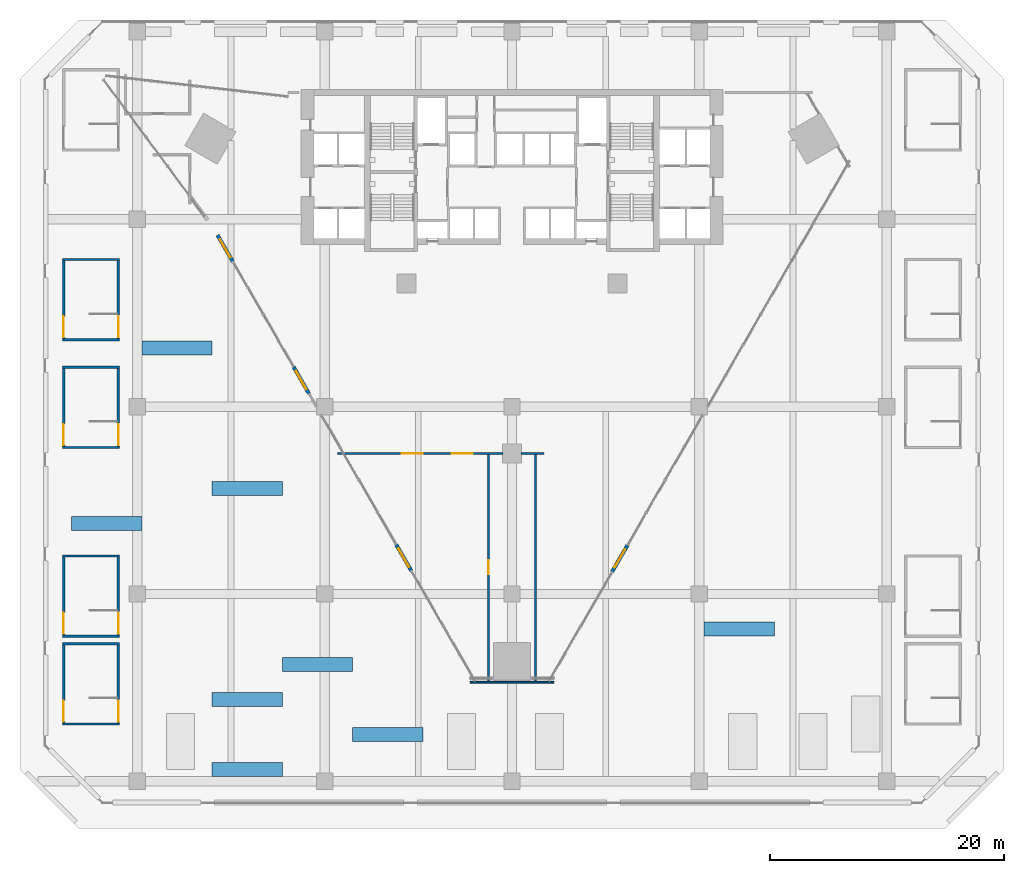
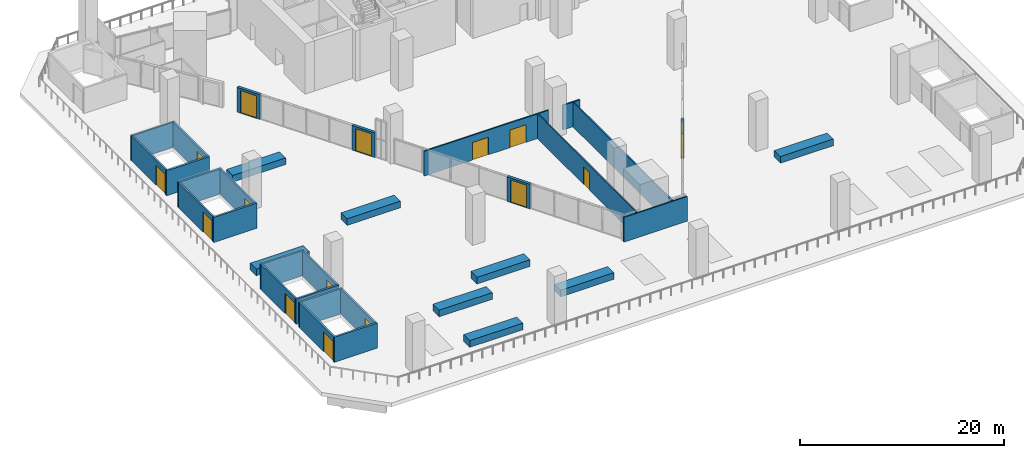
# One storey, part 18 of 25: 33 walls, 15 doors, 15 openings.
"""IFC4 building model written with IfcOpenShell, lengths in metres."""

from ifc_helpers import new_model, si_unit, direction, frame, frame_2d, origin, place, context, subcontext, project, spatial, polyline, rectangle, outline, extrude, material, layer, layer_set, type_object, element, fill, save


model = new_model("IFC4")

# Units and contexts
model_context = context("Model", 3, precision=1e-05, world=origin(), true_north=direction((0.0, 1.0)))
body_context = subcontext(model_context, "Body", "Model", "MODEL_VIEW")
ifc_project = project(units=[si_unit("LENGTHUNIT", "METRE"), si_unit("AREAUNIT", "SQUARE_METRE"), si_unit("VOLUMEUNIT", "CUBIC_METRE"), si_unit("PLANEANGLEUNIT", "RADIAN"), si_unit("MASSUNIT", "GRAM", prefix="KILO")], contexts=[model_context])

# Site, building, storey
site_placement = place(None, origin())
site = spatial("IfcSite", under=ifc_project, at=site_placement, CompositionType="ELEMENT")
building_placement = place(site_placement, origin())
building = spatial("IfcBuilding", under=site, at=building_placement, Name="Calabash Gate Tower", CompositionType="ELEMENT")
storey_placement = place(building_placement, frame((0.0, 0.0, 40.0)))
storey = spatial("IfcBuildingStorey", under=building, at=storey_placement, Name="L05", CompositionType="ELEMENT", Elevation=40.0)

# Wall
ifc_material_1 = material(Name="Gypsum board on steel studs, mineral wool", Category="steel")
ifc_layer_1 = layer(ifc_material_1, 0.14990234375)
ifc_layer_set_1 = layer_set([ifc_layer_1], Name="Partition 150 gypsum board")
wall_type_1 = type_object("IfcWallType", Name="Partition 150 gypsum board", PredefinedType="PARTITIONING", material=ifc_layer_set_1)
wall_1_placement = place(storey_placement, frame((-3.5810546875, -31.532958984375, 0.0), z_axis=(0.0, 0.0, 1.0), x_axis=(1.0, 0.0, 0.0)))
element("IfcWall", 1, at=wall_1_placement, inside=storey, type_object=wall_type_1, Name="Partition", PredefinedType="PARTITIONING", context=body_context, shape_type="SweptSolid", body=[
    extrude(rectangle(XDim=7.162109375, YDim=0.14990234375, at=frame_2d((3.5810546875, 0.0))), origin(), (0.0, 0.0, 1.0), 2.949951171875),
])

# Wall, opening, door
wall_2_placement = place(storey_placement, frame((-2.0, -31.4580078125, 0.0), z_axis=(0.0, 0.0, 1.0), x_axis=(0.0, 1.0, 0.0)))
wall_2 = element("IfcWall", 2, at=wall_2_placement, inside=storey, type_object=wall_type_1, Name="Partition", PredefinedType="PARTITIONING", context=body_context, shape_type="SweptSolid", body=[
    extrude(rectangle(XDim=19.383056640625, YDim=0.14990234375, at=frame_2d((9.69140625, 0.0))), origin(), (0.0, 0.0, 1.0), 2.949951171875),
])
opening_1_placement = place(wall_2_placement, frame((9.157958984375, 0.0, 0.0)))
opening_1 = element("IfcOpeningElement", 3, at=opening_1_placement, cuts=wall_2, Name="Opening L05-047", PredefinedType="OPENING", context=body_context, shape_type="SweptSolid", body=[
    extrude(rectangle(XDim=1.199951171875, YDim=2.10009765625, at=frame_2d((0.60009765625, 1.050048828125))), frame((0.0, 0.0849609375, 0.0), z_axis=(0.0, -1.0, 0.0), x_axis=(1.0, 0.0, 0.0)), (0.0, 0.0, 1.0), 0.169921875),
])
ifc_material_2 = material(Name="Steel fire door set with fire-resisting glazing", Category="steel")
door_type_1 = type_object("IfcDoorType", Name="Fire door D09 1200x2100 FD60", OperationType="NOTDEFINED", PredefinedType="DOOR", material=ifc_material_2)
door_1_placement = place(opening_1_placement, origin())
door_1 = element("IfcDoor", 4, at=door_1_placement, inside=storey, type_object=door_type_1, Name="Hotel Kitchen door", OperationType="SINGLE_SWING_LEFT", OverallHeight=2.10009765625, OverallWidth=1.199951171875, PredefinedType="DOOR", context=body_context, shape_type="SweptSolid", body=[
    extrude(rectangle(XDim=1.199951171875, YDim=2.10009765625, at=frame_2d((0.60009765625, 1.050048828125))), frame((0.0, 0.02490234375, 0.0), z_axis=(0.0, -1.0, 0.0), x_axis=(1.0, 0.0, 0.0)), (0.0, 0.0, 1.0), 0.050048828125),
])
fill(opening_1, door_1)

# Wall
wall_3_placement = place(storey_placement, frame((2.0, -31.4580078125, 0.0), z_axis=(0.0, 0.0, 1.0), x_axis=(0.0, 1.0, 0.0)))
element("IfcWall", 5, at=wall_3_placement, inside=storey, type_object=wall_type_1, Name="Partition", PredefinedType="PARTITIONING", context=body_context, shape_type="SweptSolid", body=[
    extrude(rectangle(XDim=19.383056640625, YDim=0.14990234375, at=frame_2d((9.69140625, 0.0))), origin(), (0.0, 0.0, 1.0), 2.949951171875),
])

# Wall, openings, doors
wall_4_placement = place(storey_placement, frame((-14.85791015625, -12.0, 0.0), z_axis=(0.0, 0.0, 1.0), x_axis=(1.0, 0.0, 0.0)))
wall_4 = element("IfcWall", 6, at=wall_4_placement, inside=storey, type_object=wall_type_1, Name="Partition", PredefinedType="PARTITIONING", context=body_context, shape_type="SweptSolid", body=[
    extrude(rectangle(XDim=14.057861328125, YDim=0.14990234375, at=frame_2d((7.02880859375, 0.0))), origin(), (0.0, 0.0, 1.0), 2.949951171875),
])
opening_2_placement = place(wall_4_placement, frame((5.4580078125, 0.0, 0.0)))
opening_2 = element("IfcOpeningElement", 7, at=opening_2_placement, cuts=wall_4, Name="Opening L05-045", PredefinedType="OPENING", context=body_context, shape_type="SweptSolid", body=[
    extrude(rectangle(XDim=1.800048828125, YDim=2.10009765625, at=frame_2d((0.89990234375, 1.050048828125))), frame((0.0, 0.0849609375, 0.0), z_axis=(0.0, -1.0, 0.0), x_axis=(1.0, 0.0, 0.0)), (0.0, 0.0, 1.0), 0.169921875),
])
opening_3_placement = place(wall_4_placement, frame((9.7080078125, 0.0, 0.0)))
opening_3 = element("IfcOpeningElement", 8, at=opening_3_placement, cuts=wall_4, Name="Opening L05-046", PredefinedType="OPENING", context=body_context, shape_type="SweptSolid", body=[
    extrude(rectangle(XDim=1.800048828125, YDim=2.10009765625, at=frame_2d((0.89990234375, 1.050048828125))), frame((0.0, 0.0849609375, 0.0), z_axis=(0.0, -1.0, 0.0), x_axis=(1.0, 0.0, 0.0)), (0.0, 0.0, 1.0), 0.169921875),
])
ifc_material_3 = material(Name="Steel fire door set with fire-resisting glazing", Category="steel")
door_type_2 = type_object("IfcDoorType", Name="Double fire door D17 1800x2100 FD60", OperationType="DOUBLE_DOOR_SINGLE_SWING", PredefinedType="DOOR", material=ifc_material_3)
door_2_placement = place(opening_2_placement, origin())
door_2 = element("IfcDoor", 9, at=door_2_placement, inside=storey, type_object=door_type_2, Name="Hotel Restaurant door", OperationType="DOUBLE_DOOR_SINGLE_SWING", OverallHeight=2.10009765625, OverallWidth=1.800048828125, PredefinedType="DOOR", context=body_context, shape_type="SweptSolid", body=[
    extrude(rectangle(XDim=1.800048828125, YDim=2.10009765625, at=frame_2d((0.89990234375, 1.050048828125))), frame((0.0, 0.02490234375, 0.0), z_axis=(0.0, -1.0, 0.0), x_axis=(1.0, 0.0, 0.0)), (0.0, 0.0, 1.0), 0.050048828125),
])
fill(opening_2, door_2)
door_3_placement = place(opening_3_placement, origin())
door_3 = element("IfcDoor", 10, at=door_3_placement, inside=storey, type_object=door_type_2, Name="Hotel Restaurant door", OperationType="DOUBLE_DOOR_SINGLE_SWING", OverallHeight=2.10009765625, OverallWidth=1.800048828125, PredefinedType="DOOR", context=body_context, shape_type="SweptSolid", body=[
    extrude(rectangle(XDim=1.800048828125, YDim=2.10009765625, at=frame_2d((0.89990234375, 1.050048828125))), frame((0.0, 0.02490234375, 0.0), z_axis=(0.0, -1.0, 0.0), x_axis=(1.0, 0.0, 0.0)), (0.0, 0.0, 1.0), 0.050048828125),
])
fill(opening_3, door_3)

# Wall
wall_5_placement = place(storey_placement, frame((0.800048828125, -12.0, 0.0), z_axis=(0.0, 0.0, 1.0), x_axis=(1.0, 0.0, 0.0)))
element("IfcWall", 11, at=wall_5_placement, inside=storey, type_object=wall_type_1, Name="Partition", PredefinedType="PARTITIONING", context=body_context, shape_type="SweptSolid", body=[
    extrude(rectangle(XDim=1.929931640625, YDim=0.14990234375, at=frame_2d((0.96484375, 0.0))), origin(), (0.0, 0.0, 1.0), 2.949951171875),
])

# Wall, opening, door
ifc_material_4 = material(Name="Aluminium framed entrance wall with insulated spandrel", Category="aluminium")
ifc_layer_2 = layer(ifc_material_4, 0.300048828125)
ifc_layer_set_2 = layer_set([ifc_layer_2], Name="Podium entrance wall 300")
wall_type_2 = type_object("IfcWallType", Name="Podium entrance wall 300", PredefinedType="ELEMENTEDWALL", material=ifc_layer_set_2)
wall_6_placement = place(storey_placement, frame((-25.137939453125, 6.634765625, 0.0), z_axis=(0.0, 0.0, 1.0), x_axis=(0.500047596559, -0.865997922154, 0.0)))
wall_6 = element("IfcWall", 12, at=wall_6_placement, inside=storey, type_object=wall_type_2, Name="Terrace door wall L05", PredefinedType="ELEMENTEDWALL", context=body_context, shape_type="SweptSolid", body=[
    extrude(rectangle(XDim=2.599853515625, YDim=0.300048828125, at=frame_2d((1.2998046875, 0.0))), origin(), (0.0, 0.0, 1.0), 2.949951171875),
])
opening_4_placement = place(wall_6_placement, frame((0.39990234375, 0.0, 0.0)))
opening_4 = element("IfcOpeningElement", 13, at=opening_4_placement, cuts=wall_6, Name="Opening L05-001", PredefinedType="OPENING", context=body_context, shape_type="SweptSolid", body=[
    extrude(rectangle(XDim=1.800048828125, YDim=2.699951171875, at=frame_2d((0.89990234375, 1.35009765625))), frame((0.0, 0.159912109375, 0.0), z_axis=(0.0, -1.0, 0.0), x_axis=(1.0, 0.0, 0.0)), (0.0, 0.0, 1.0), 0.320068359375),
])
ifc_material_5 = material(Name="Anodised aluminium frame, bronze finish, impact-rated laminated clear glazing", Category="aluminium")
door_type_3 = type_object("IfcDoorType", Name="Podium door DE180 1800x2700", OperationType="DOUBLE_DOOR_SINGLE_SWING", PredefinedType="DOOR", material=ifc_material_5)
door_4_placement = place(opening_4_placement, origin())
door_4 = element("IfcDoor", 14, at=door_4_placement, inside=storey, type_object=door_type_3, Name="Terrace door L05", OperationType="DOUBLE_DOOR_SINGLE_SWING", OverallHeight=2.699951171875, OverallWidth=1.800048828125, PredefinedType="DOOR", context=body_context, shape_type="SweptSolid", body=[
    extrude(rectangle(XDim=1.800048828125, YDim=2.699951171875, at=frame_2d((0.89990234375, 1.35009765625))), frame((0.0, 0.02490234375, 0.0), z_axis=(0.0, -1.0, 0.0), x_axis=(1.0, 0.0, 0.0)), (0.0, 0.0, 1.0), 0.050048828125),
])
fill(opening_4, door_4)

wall_7_placement = place(storey_placement, frame((-18.637451171875, -4.6240234375, 0.0), z_axis=(0.0, 0.0, 1.0), x_axis=(0.499936506574, -0.866062058628, 0.0)))
wall_7 = element("IfcWall", 15, at=wall_7_placement, inside=storey, type_object=wall_type_2, Name="Terrace door wall L05", PredefinedType="ELEMENTEDWALL", context=body_context, shape_type="SweptSolid", body=[
    extrude(rectangle(XDim=2.599853515625, YDim=0.300048828125, at=frame_2d((1.2998046875, 0.0))), origin(), (0.0, 0.0, 1.0), 2.949951171875),
])
opening_5_placement = place(wall_7_placement, frame((0.39990234375, 0.0, 0.0)))
opening_5 = element("IfcOpeningElement", 16, at=opening_5_placement, cuts=wall_7, Name="Opening L05-002", PredefinedType="OPENING", context=body_context, shape_type="SweptSolid", body=[
    extrude(rectangle(XDim=1.800048828125, YDim=2.699951171875, at=frame_2d((0.89990234375, 1.35009765625))), frame((0.0, 0.159912109375, 0.0), z_axis=(0.0, -1.0, 0.0), x_axis=(1.0, 0.0, 0.0)), (0.0, 0.0, 1.0), 0.320068359375),
])
door_5_placement = place(opening_5_placement, origin())
door_5 = element("IfcDoor", 17, at=door_5_placement, inside=storey, type_object=door_type_3, Name="Terrace door L05", OperationType="DOUBLE_DOOR_SINGLE_SWING", OverallHeight=2.699951171875, OverallWidth=1.800048828125, PredefinedType="DOOR", context=body_context, shape_type="SweptSolid", body=[
    extrude(rectangle(XDim=1.800048828125, YDim=2.699951171875, at=frame_2d((0.89990234375, 1.35009765625))), frame((0.0, 0.02490234375, 0.0), z_axis=(0.0, -1.0, 0.0), x_axis=(1.0, 0.0, 0.0)), (0.0, 0.0, 1.0), 0.050048828125),
])
fill(opening_5, door_5)

wall_8_placement = place(storey_placement, frame((-9.8876953125, -19.779052734375, 0.0), z_axis=(0.0, 0.0, 1.0), x_axis=(0.500006934395, -0.866021400173, 0.0)))
wall_8 = element("IfcWall", 18, at=wall_8_placement, inside=storey, type_object=wall_type_2, Name="Terrace door wall L05", PredefinedType="ELEMENTEDWALL", context=body_context, shape_type="SweptSolid", body=[
    extrude(rectangle(XDim=2.60009765625, YDim=0.300048828125, at=frame_2d((1.300048828125, 0.0))), origin(), (0.0, 0.0, 1.0), 2.949951171875),
])
opening_6_placement = place(wall_8_placement, frame((0.39990234375, 0.0, 0.0)))
opening_6 = element("IfcOpeningElement", 19, at=opening_6_placement, cuts=wall_8, Name="Opening L05-003", PredefinedType="OPENING", context=body_context, shape_type="SweptSolid", body=[
    extrude(rectangle(XDim=1.800048828125, YDim=2.699951171875, at=frame_2d((0.89990234375, 1.35009765625))), frame((0.0, 0.159912109375, 0.0), z_axis=(0.0, -1.0, 0.0), x_axis=(1.0, 0.0, 0.0)), (0.0, 0.0, 1.0), 0.320068359375),
])
door_6_placement = place(opening_6_placement, origin())
door_6 = element("IfcDoor", 20, at=door_6_placement, inside=storey, type_object=door_type_3, Name="Terrace door L05", OperationType="DOUBLE_DOOR_SINGLE_SWING", OverallHeight=2.699951171875, OverallWidth=1.800048828125, PredefinedType="DOOR", context=body_context, shape_type="SweptSolid", body=[
    extrude(rectangle(XDim=1.800048828125, YDim=2.699951171875, at=frame_2d((0.89990234375, 1.35009765625))), frame((0.0, 0.02490234375, 0.0), z_axis=(0.0, -1.0, 0.0), x_axis=(1.0, 0.0, 0.0)), (0.0, 0.0, 1.0), 0.050048828125),
])
fill(opening_6, door_6)

wall_9_placement = place(storey_placement, frame((8.552490234375, -22.091552734375, 0.0), z_axis=(0.0, 0.0, 1.0), x_axis=(0.500047596559, 0.865997922154, 0.0)))
wall_9 = element("IfcWall", 21, at=wall_9_placement, inside=storey, type_object=wall_type_2, Name="Terrace door wall L05", PredefinedType="ELEMENTEDWALL", context=body_context, shape_type="SweptSolid", body=[
    extrude(rectangle(XDim=2.599853515625, YDim=0.300048828125, at=frame_2d((1.2998046875, 0.0))), origin(), (0.0, 0.0, 1.0), 2.949951171875),
])
opening_7_placement = place(wall_9_placement, frame((0.39990234375, 0.0, 0.0)))
opening_7 = element("IfcOpeningElement", 22, at=opening_7_placement, cuts=wall_9, Name="Opening L05-004", PredefinedType="OPENING", context=body_context, shape_type="SweptSolid", body=[
    extrude(rectangle(XDim=1.800048828125, YDim=2.699951171875, at=frame_2d((0.89990234375, 1.35009765625))), frame((0.0, 0.159912109375, 0.0), z_axis=(0.0, -1.0, 0.0), x_axis=(1.0, 0.0, 0.0)), (0.0, 0.0, 1.0), 0.320068359375),
])
door_7_placement = place(opening_7_placement, origin())
door_7 = element("IfcDoor", 23, at=door_7_placement, inside=storey, type_object=door_type_3, Name="Terrace door L05", OperationType="DOUBLE_DOOR_SINGLE_SWING", OverallHeight=2.699951171875, OverallWidth=1.800048828125, PredefinedType="DOOR", context=body_context, shape_type="SweptSolid", body=[
    extrude(rectangle(XDim=1.800048828125, YDim=2.699951171875, at=frame_2d((0.89990234375, 1.35009765625))), frame((0.0, 0.02490234375, 0.0), z_axis=(0.0, -1.0, 0.0), x_axis=(1.0, 0.0, 0.0)), (0.0, 0.0, 1.0), 0.050048828125),
])
fill(opening_7, door_7)

# Walls
ifc_material_6 = material(Name="Concrete C40/50", Category="concrete")
ifc_layer_3 = layer(ifc_material_6, 0.199951171875)
ifc_layer_set_3 = layer_set([ifc_layer_3], Name="Stair wall 200 Concrete C40/50")
wall_type_3 = type_object("IfcWallType", Name="Stair wall 200 Concrete C40/50", PredefinedType="SOLIDWALL", material=ifc_layer_set_3)
for number, where, z_axis, x_axis, name in (
    (24, (-38.3701171875, -35.10009765625, 0.0), (0.0, 0.0, 1.0), (1.0, 0.0, 0.0), "Stair wall"),
    (25, (-38.3701171875, -28.25, 0.0), (0.0, 0.0, 1.0), (1.0, 0.0, 0.0), "Stair wall"),
):
    element("IfcWall", number, at=place(storey_placement, frame(where, z_axis=z_axis, x_axis=x_axis)), inside=storey, type_object=wall_type_3, Name=name, PredefinedType="SOLIDWALL", context=body_context, shape_type="SweptSolid", body=[
        extrude(rectangle(XDim=4.8701171875, YDim=0.199951171875, at=frame_2d((2.43505859375, 0.0))), origin(), (0.0, 0.0, 1.0), 3.0),
    ])

# Wall, opening, door
wall_10_placement = place(storey_placement, frame((-38.27001953125, -35.0, 0.0), z_axis=(0.0, 0.0, 1.0), x_axis=(0.0, 1.0, 0.0)))
wall_10 = element("IfcWall", 26, at=wall_10_placement, inside=storey, type_object=wall_type_3, Name="Stair wall", PredefinedType="SOLIDWALL", context=body_context, shape_type="SweptSolid", body=[
    extrude(rectangle(XDim=6.64990234375, YDim=0.199951171875, at=frame_2d((3.324951171875, 0.0))), origin(), (0.0, 0.0, 1.0), 3.0),
])
opening_8_placement = place(wall_10_placement, frame((0.10009765625, 0.0, 0.0)))
opening_8 = element("IfcOpeningElement", 27, at=opening_8_placement, cuts=wall_10, Name="Opening L05-024", PredefinedType="OPENING", context=body_context, shape_type="SweptSolid", body=[
    extrude(rectangle(XDim=1.800048828125, YDim=2.39990234375, at=frame_2d((0.89990234375, 1.199951171875))), frame((0.0, 0.10986328125, 0.0), z_axis=(0.0, -1.0, 0.0), x_axis=(1.0, 0.0, 0.0)), (0.0, 0.0, 1.0), 0.219970703125),
])
ifc_material_7 = material(Name="Steel fire door set with fire-resisting glazing", Category="steel")
door_type_4 = type_object("IfcDoorType", Name="Double fire door D16 1800x2400 FD90", OperationType="DOUBLE_DOOR_SINGLE_SWING", PredefinedType="DOOR", material=ifc_material_7)
door_8_placement = place(opening_8_placement, origin())
door_8 = element("IfcDoor", 28, at=door_8_placement, inside=storey, type_object=door_type_4, Name="Exit stair door PS1", OperationType="DOUBLE_DOOR_SINGLE_SWING", OverallHeight=2.39990234375, OverallWidth=1.800048828125, PredefinedType="DOOR", context=body_context, shape_type="SweptSolid", body=[
    extrude(rectangle(XDim=1.800048828125, YDim=2.39990234375, at=frame_2d((0.89990234375, 1.199951171875))), frame((0.0, 0.02490234375, 0.0), z_axis=(0.0, -1.0, 0.0), x_axis=(1.0, 0.0, 0.0)), (0.0, 0.0, 1.0), 0.050048828125),
])
fill(opening_8, door_8)

wall_11_placement = place(storey_placement, frame((-33.60009765625, -35.0, 0.0), z_axis=(0.0, 0.0, 1.0), x_axis=(0.0, 1.0, 0.0)))
wall_11 = element("IfcWall", 29, at=wall_11_placement, inside=storey, type_object=wall_type_3, Name="Stair wall", PredefinedType="SOLIDWALL", context=body_context, shape_type="SweptSolid", body=[
    extrude(rectangle(XDim=6.64990234375, YDim=0.199951171875, at=frame_2d((3.324951171875, 0.0))), origin(), (0.0, 0.0, 1.0), 3.0),
])
opening_9_placement = place(wall_11_placement, frame((0.10009765625, 0.0, 0.0)))
opening_9 = element("IfcOpeningElement", 30, at=opening_9_placement, cuts=wall_11, Name="Opening L05-023", PredefinedType="OPENING", context=body_context, shape_type="SweptSolid", body=[
    extrude(rectangle(XDim=1.800048828125, YDim=2.39990234375, at=frame_2d((0.89990234375, 1.199951171875))), frame((0.0, 0.10986328125, 0.0), z_axis=(0.0, -1.0, 0.0), x_axis=(1.0, 0.0, 0.0)), (0.0, 0.0, 1.0), 0.219970703125),
])
door_9_placement = place(opening_9_placement, origin())
door_9 = element("IfcDoor", 31, at=door_9_placement, inside=storey, type_object=door_type_4, Name="Exit stair door PS1", OperationType="DOUBLE_DOOR_SINGLE_SWING", OverallHeight=2.39990234375, OverallWidth=1.800048828125, PredefinedType="DOOR", context=body_context, shape_type="SweptSolid", body=[
    extrude(rectangle(XDim=1.800048828125, YDim=2.39990234375, at=frame_2d((0.89990234375, 1.199951171875))), frame((0.0, 0.02490234375, 0.0), z_axis=(0.0, -1.0, 0.0), x_axis=(1.0, 0.0, 0.0)), (0.0, 0.0, 1.0), 0.050048828125),
])
fill(opening_9, door_9)

# Walls
for number, where, z_axis, x_axis, name in (
    (32, (-38.3701171875, -27.60009765625, 0.0), (0.0, 0.0, 1.0), (1.0, 0.0, 0.0), "Stair wall"),
    (33, (-38.3701171875, -20.75, 0.0), (0.0, 0.0, 1.0), (1.0, 0.0, 0.0), "Stair wall"),
):
    element("IfcWall", number, at=place(storey_placement, frame(where, z_axis=z_axis, x_axis=x_axis)), inside=storey, type_object=wall_type_3, Name=name, PredefinedType="SOLIDWALL", context=body_context, shape_type="SweptSolid", body=[
        extrude(rectangle(XDim=4.8701171875, YDim=0.199951171875, at=frame_2d((2.43505859375, 0.0))), origin(), (0.0, 0.0, 1.0), 3.0),
    ])

# Wall, opening, door
wall_12_placement = place(storey_placement, frame((-38.27001953125, -27.5, 0.0), z_axis=(0.0, 0.0, 1.0), x_axis=(0.0, 1.0, 0.0)))
wall_12 = element("IfcWall", 34, at=wall_12_placement, inside=storey, type_object=wall_type_3, Name="Stair wall", PredefinedType="SOLIDWALL", context=body_context, shape_type="SweptSolid", body=[
    extrude(rectangle(XDim=6.64990234375, YDim=0.199951171875, at=frame_2d((3.324951171875, 0.0))), origin(), (0.0, 0.0, 1.0), 3.0),
])
opening_10_placement = place(wall_12_placement, frame((0.10009765625, 0.0, 0.0)))
opening_10 = element("IfcOpeningElement", 35, at=opening_10_placement, cuts=wall_12, Name="Opening L05-026", PredefinedType="OPENING", context=body_context, shape_type="SweptSolid", body=[
    extrude(rectangle(XDim=1.800048828125, YDim=2.39990234375, at=frame_2d((0.89990234375, 1.199951171875))), frame((0.0, 0.10986328125, 0.0), z_axis=(0.0, -1.0, 0.0), x_axis=(1.0, 0.0, 0.0)), (0.0, 0.0, 1.0), 0.219970703125),
])
door_10_placement = place(opening_10_placement, origin())
door_10 = element("IfcDoor", 36, at=door_10_placement, inside=storey, type_object=door_type_4, Name="Exit stair door PS2", OperationType="DOUBLE_DOOR_SINGLE_SWING", OverallHeight=2.39990234375, OverallWidth=1.800048828125, PredefinedType="DOOR", context=body_context, shape_type="SweptSolid", body=[
    extrude(rectangle(XDim=1.800048828125, YDim=2.39990234375, at=frame_2d((0.89990234375, 1.199951171875))), frame((0.0, 0.02490234375, 0.0), z_axis=(0.0, -1.0, 0.0), x_axis=(1.0, 0.0, 0.0)), (0.0, 0.0, 1.0), 0.050048828125),
])
fill(opening_10, door_10)

wall_13_placement = place(storey_placement, frame((-33.60009765625, -27.5, 0.0), z_axis=(0.0, 0.0, 1.0), x_axis=(0.0, 1.0, 0.0)))
wall_13 = element("IfcWall", 37, at=wall_13_placement, inside=storey, type_object=wall_type_3, Name="Stair wall", PredefinedType="SOLIDWALL", context=body_context, shape_type="SweptSolid", body=[
    extrude(rectangle(XDim=6.64990234375, YDim=0.199951171875, at=frame_2d((3.324951171875, 0.0))), origin(), (0.0, 0.0, 1.0), 3.0),
])
opening_11_placement = place(wall_13_placement, frame((0.10009765625, 0.0, 0.0)))
opening_11 = element("IfcOpeningElement", 38, at=opening_11_placement, cuts=wall_13, Name="Opening L05-025", PredefinedType="OPENING", context=body_context, shape_type="SweptSolid", body=[
    extrude(rectangle(XDim=1.800048828125, YDim=2.39990234375, at=frame_2d((0.89990234375, 1.199951171875))), frame((0.0, 0.10986328125, 0.0), z_axis=(0.0, -1.0, 0.0), x_axis=(1.0, 0.0, 0.0)), (0.0, 0.0, 1.0), 0.219970703125),
])
door_11_placement = place(opening_11_placement, origin())
door_11 = element("IfcDoor", 39, at=door_11_placement, inside=storey, type_object=door_type_4, Name="Exit stair door PS2", OperationType="DOUBLE_DOOR_SINGLE_SWING", OverallHeight=2.39990234375, OverallWidth=1.800048828125, PredefinedType="DOOR", context=body_context, shape_type="SweptSolid", body=[
    extrude(rectangle(XDim=1.800048828125, YDim=2.39990234375, at=frame_2d((0.89990234375, 1.199951171875))), frame((0.0, 0.02490234375, 0.0), z_axis=(0.0, -1.0, 0.0), x_axis=(1.0, 0.0, 0.0)), (0.0, 0.0, 1.0), 0.050048828125),
])
fill(opening_11, door_11)

# Walls
for number, where, z_axis, x_axis, name in (
    (40, (-38.3701171875, -11.5, 0.0), (0.0, 0.0, 1.0), (1.0, 0.0, 0.0), "Stair wall"),
    (41, (-38.3701171875, -4.64990234375, 0.0), (0.0, 0.0, 1.0), (1.0, 0.0, 0.0), "Stair wall"),
):
    element("IfcWall", number, at=place(storey_placement, frame(where, z_axis=z_axis, x_axis=x_axis)), inside=storey, type_object=wall_type_3, Name=name, PredefinedType="SOLIDWALL", context=body_context, shape_type="SweptSolid", body=[
        extrude(rectangle(XDim=4.8701171875, YDim=0.199951171875, at=frame_2d((2.43505859375, 0.0))), origin(), (0.0, 0.0, 1.0), 3.0),
    ])

# Wall, opening, door
wall_14_placement = place(storey_placement, frame((-38.27001953125, -11.39990234375, 0.0), z_axis=(0.0, 0.0, 1.0), x_axis=(0.0, 1.0, 0.0)))
wall_14 = element("IfcWall", 42, at=wall_14_placement, inside=storey, type_object=wall_type_3, Name="Stair wall", PredefinedType="SOLIDWALL", context=body_context, shape_type="SweptSolid", body=[
    extrude(rectangle(XDim=6.64990234375, YDim=0.199951171875, at=frame_2d((3.324951171875, 0.0))), origin(), (0.0, 0.0, 1.0), 3.0),
])
opening_12_placement = place(wall_14_placement, frame((0.10009765625, 0.0, 0.0)))
opening_12 = element("IfcOpeningElement", 43, at=opening_12_placement, cuts=wall_14, Name="Opening L05-028", PredefinedType="OPENING", context=body_context, shape_type="SweptSolid", body=[
    extrude(rectangle(XDim=1.800048828125, YDim=2.39990234375, at=frame_2d((0.89990234375, 1.199951171875))), frame((0.0, 0.10986328125, 0.0), z_axis=(0.0, -1.0, 0.0), x_axis=(1.0, 0.0, 0.0)), (0.0, 0.0, 1.0), 0.219970703125),
])
door_12_placement = place(opening_12_placement, origin())
door_12 = element("IfcDoor", 44, at=door_12_placement, inside=storey, type_object=door_type_4, Name="Exit stair door PS3", OperationType="DOUBLE_DOOR_SINGLE_SWING", OverallHeight=2.39990234375, OverallWidth=1.800048828125, PredefinedType="DOOR", context=body_context, shape_type="SweptSolid", body=[
    extrude(rectangle(XDim=1.800048828125, YDim=2.39990234375, at=frame_2d((0.89990234375, 1.199951171875))), frame((0.0, 0.02490234375, 0.0), z_axis=(0.0, -1.0, 0.0), x_axis=(1.0, 0.0, 0.0)), (0.0, 0.0, 1.0), 0.050048828125),
])
fill(opening_12, door_12)

wall_15_placement = place(storey_placement, frame((-33.60009765625, -11.39990234375, 0.0), z_axis=(0.0, 0.0, 1.0), x_axis=(0.0, 1.0, 0.0)))
wall_15 = element("IfcWall", 45, at=wall_15_placement, inside=storey, type_object=wall_type_3, Name="Stair wall", PredefinedType="SOLIDWALL", context=body_context, shape_type="SweptSolid", body=[
    extrude(rectangle(XDim=6.64990234375, YDim=0.199951171875, at=frame_2d((3.324951171875, 0.0))), origin(), (0.0, 0.0, 1.0), 3.0),
])
opening_13_placement = place(wall_15_placement, frame((0.10009765625, 0.0, 0.0)))
opening_13 = element("IfcOpeningElement", 46, at=opening_13_placement, cuts=wall_15, Name="Opening L05-027", PredefinedType="OPENING", context=body_context, shape_type="SweptSolid", body=[
    extrude(rectangle(XDim=1.800048828125, YDim=2.39990234375, at=frame_2d((0.89990234375, 1.199951171875))), frame((0.0, 0.10986328125, 0.0), z_axis=(0.0, -1.0, 0.0), x_axis=(1.0, 0.0, 0.0)), (0.0, 0.0, 1.0), 0.219970703125),
])
door_13_placement = place(opening_13_placement, origin())
door_13 = element("IfcDoor", 47, at=door_13_placement, inside=storey, type_object=door_type_4, Name="Exit stair door PS3", OperationType="DOUBLE_DOOR_SINGLE_SWING", OverallHeight=2.39990234375, OverallWidth=1.800048828125, PredefinedType="DOOR", context=body_context, shape_type="SweptSolid", body=[
    extrude(rectangle(XDim=1.800048828125, YDim=2.39990234375, at=frame_2d((0.89990234375, 1.199951171875))), frame((0.0, 0.02490234375, 0.0), z_axis=(0.0, -1.0, 0.0), x_axis=(1.0, 0.0, 0.0)), (0.0, 0.0, 1.0), 0.050048828125),
])
fill(opening_13, door_13)

# Walls
for number, where, z_axis, x_axis, name in (
    (48, (-38.3701171875, -2.300048828125, 0.0), (0.0, 0.0, 1.0), (1.0, 0.0, 0.0), "Stair wall"),
    (49, (-38.3701171875, 4.550048828125, 0.0), (0.0, 0.0, 1.0), (1.0, 0.0, 0.0), "Stair wall"),
):
    element("IfcWall", number, at=place(storey_placement, frame(where, z_axis=z_axis, x_axis=x_axis)), inside=storey, type_object=wall_type_3, Name=name, PredefinedType="SOLIDWALL", context=body_context, shape_type="SweptSolid", body=[
        extrude(rectangle(XDim=4.8701171875, YDim=0.199951171875, at=frame_2d((2.43505859375, 0.0))), origin(), (0.0, 0.0, 1.0), 3.0),
    ])

# Wall, opening, door
wall_16_placement = place(storey_placement, frame((-38.27001953125, -2.199951171875, 0.0), z_axis=(0.0, 0.0, 1.0), x_axis=(0.0, 1.0, 0.0)))
wall_16 = element("IfcWall", 50, at=wall_16_placement, inside=storey, type_object=wall_type_3, Name="Stair wall", PredefinedType="SOLIDWALL", context=body_context, shape_type="SweptSolid", body=[
    extrude(rectangle(XDim=6.64990234375, YDim=0.199951171875, at=frame_2d((3.324951171875, 0.0))), origin(), (0.0, 0.0, 1.0), 3.0),
])
opening_14_placement = place(wall_16_placement, frame((0.10009765625, 0.0, 0.0)))
opening_14 = element("IfcOpeningElement", 51, at=opening_14_placement, cuts=wall_16, Name="Opening L05-030", PredefinedType="OPENING", context=body_context, shape_type="SweptSolid", body=[
    extrude(rectangle(XDim=1.800048828125, YDim=2.39990234375, at=frame_2d((0.89990234375, 1.199951171875))), frame((0.0, 0.10986328125, 0.0), z_axis=(0.0, -1.0, 0.0), x_axis=(1.0, 0.0, 0.0)), (0.0, 0.0, 1.0), 0.219970703125),
])
door_14_placement = place(opening_14_placement, origin())
door_14 = element("IfcDoor", 52, at=door_14_placement, inside=storey, type_object=door_type_4, Name="Exit stair door PS4", OperationType="DOUBLE_DOOR_SINGLE_SWING", OverallHeight=2.39990234375, OverallWidth=1.800048828125, PredefinedType="DOOR", context=body_context, shape_type="SweptSolid", body=[
    extrude(rectangle(XDim=1.800048828125, YDim=2.39990234375, at=frame_2d((0.89990234375, 1.199951171875))), frame((0.0, 0.02490234375, 0.0), z_axis=(0.0, -1.0, 0.0), x_axis=(1.0, 0.0, 0.0)), (0.0, 0.0, 1.0), 0.050048828125),
])
fill(opening_14, door_14)

wall_17_placement = place(storey_placement, frame((-33.60009765625, -2.199951171875, 0.0), z_axis=(0.0, 0.0, 1.0), x_axis=(0.0, 1.0, 0.0)))
wall_17 = element("IfcWall", 53, at=wall_17_placement, inside=storey, type_object=wall_type_3, Name="Stair wall", PredefinedType="SOLIDWALL", context=body_context, shape_type="SweptSolid", body=[
    extrude(rectangle(XDim=6.64990234375, YDim=0.199951171875, at=frame_2d((3.324951171875, 0.0))), origin(), (0.0, 0.0, 1.0), 3.0),
])
opening_15_placement = place(wall_17_placement, frame((0.10009765625, 0.0, 0.0)))
opening_15 = element("IfcOpeningElement", 54, at=opening_15_placement, cuts=wall_17, Name="Opening L05-029", PredefinedType="OPENING", context=body_context, shape_type="SweptSolid", body=[
    extrude(rectangle(XDim=1.800048828125, YDim=2.39990234375, at=frame_2d((0.89990234375, 1.199951171875))), frame((0.0, 0.10986328125, 0.0), z_axis=(0.0, -1.0, 0.0), x_axis=(1.0, 0.0, 0.0)), (0.0, 0.0, 1.0), 0.219970703125),
])
door_15_placement = place(opening_15_placement, origin())
door_15 = element("IfcDoor", 55, at=door_15_placement, inside=storey, type_object=door_type_4, Name="Exit stair door PS4", OperationType="DOUBLE_DOOR_SINGLE_SWING", OverallHeight=2.39990234375, OverallWidth=1.800048828125, PredefinedType="DOOR", context=body_context, shape_type="SweptSolid", body=[
    extrude(rectangle(XDim=1.800048828125, YDim=2.39990234375, at=frame_2d((0.89990234375, 1.199951171875))), frame((0.0, 0.02490234375, 0.0), z_axis=(0.0, -1.0, 0.0), x_axis=(1.0, 0.0, 0.0)), (0.0, 0.0, 1.0), 0.050048828125),
])
fill(opening_15, door_15)

# Walls
ifc_material_8 = material(Name="Brick planter wall with planting soil", Category="masonry")
ifc_layer_4 = layer(ifc_material_8, 0.300048828125)
ifc_layer_set_4 = layer_set([ifc_layer_4], Name="Terrace planter wall 300")
wall_type_4 = type_object("IfcWallType", Name="Terrace planter wall 300", PredefinedType="USERDEFINED", material=ifc_layer_set_4)
wall_18_placement = place(storey_placement, origin())
element("IfcWall", 56, at=wall_18_placement, inside=storey, type_object=wall_type_4, Name="PLANTER L05 1", ObjectType="PLANTER", PredefinedType="USERDEFINED", context=body_context, shape_type="SweptSolid", body=[
    extrude(outline(polyline([(-19.60009765625, -39.60009765625), (-19.60009765625, -38.39990234375), (-25.60009765625, -38.39990234375), (-25.60009765625, -39.60009765625), (-19.60009765625, -39.60009765625)])), origin(), (0.0, 0.0, 1.0), 0.800048828125),
])
wall_19_placement = place(storey_placement, origin())
element("IfcWall", 57, at=wall_19_placement, inside=storey, type_object=wall_type_4, Name="PLANTER L05 2", ObjectType="PLANTER", PredefinedType="USERDEFINED", context=body_context, shape_type="SweptSolid", body=[
    extrude(outline(polyline([(-7.60009765625, -36.60009765625), (-7.60009765625, -35.39990234375), (-13.60009765625, -35.39990234375), (-13.60009765625, -36.60009765625), (-7.60009765625, -36.60009765625)])), origin(), (0.0, 0.0, 1.0), 0.800048828125),
])
wall_20_placement = place(storey_placement, origin())
element("IfcWall", 58, at=wall_20_placement, inside=storey, type_object=wall_type_4, Name="PLANTER L05 3", ObjectType="PLANTER", PredefinedType="USERDEFINED", context=body_context, shape_type="SweptSolid", body=[
    extrude(outline(polyline([(-19.60009765625, -33.60009765625), (-19.60009765625, -32.39990234375), (-25.60009765625, -32.39990234375), (-25.60009765625, -33.60009765625), (-19.60009765625, -33.60009765625)])), origin(), (0.0, 0.0, 1.0), 0.800048828125),
])
wall_21_placement = place(storey_placement, origin())
element("IfcWall", 59, at=wall_21_placement, inside=storey, type_object=wall_type_4, Name="PLANTER L05 4", ObjectType="PLANTER", PredefinedType="USERDEFINED", context=body_context, shape_type="SweptSolid", body=[
    extrude(outline(polyline([(-13.60009765625, -30.60009765625), (-13.60009765625, -29.39990234375), (-19.60009765625, -29.39990234375), (-19.60009765625, -30.60009765625), (-13.60009765625, -30.60009765625)])), origin(), (0.0, 0.0, 1.0), 0.800048828125),
])
wall_22_placement = place(storey_placement, origin())
element("IfcWall", 60, at=wall_22_placement, inside=storey, type_object=wall_type_4, Name="PLANTER L05 5", ObjectType="PLANTER", PredefinedType="USERDEFINED", context=body_context, shape_type="SweptSolid", body=[
    extrude(outline(polyline([(22.39990234375, -27.60009765625), (22.39990234375, -26.39990234375), (16.39990234375, -26.39990234375), (16.39990234375, -27.60009765625), (22.39990234375, -27.60009765625)])), origin(), (0.0, 0.0, 1.0), 0.800048828125),
])
wall_23_placement = place(storey_placement, origin())
element("IfcWall", 61, at=wall_23_placement, inside=storey, type_object=wall_type_4, Name="PLANTER L05 6", ObjectType="PLANTER", PredefinedType="USERDEFINED", context=body_context, shape_type="SweptSolid", body=[
    extrude(outline(polyline([(-31.60009765625, -18.60009765625), (-31.60009765625, -17.39990234375), (-37.60009765625, -17.39990234375), (-37.60009765625, -18.60009765625), (-31.60009765625, -18.60009765625)])), origin(), (0.0, 0.0, 1.0), 0.800048828125),
])
wall_24_placement = place(storey_placement, origin())
element("IfcWall", 62, at=wall_24_placement, inside=storey, type_object=wall_type_4, Name="PLANTER L05 7", ObjectType="PLANTER", PredefinedType="USERDEFINED", context=body_context, shape_type="SweptSolid", body=[
    extrude(outline(polyline([(-19.60009765625, -15.60009765625), (-19.60009765625, -14.39990234375), (-25.60009765625, -14.39990234375), (-25.60009765625, -15.60009765625), (-19.60009765625, -15.60009765625)])), origin(), (0.0, 0.0, 1.0), 0.800048828125),
])
wall_25_placement = place(storey_placement, origin())
element("IfcWall", 63, at=wall_25_placement, inside=storey, type_object=wall_type_4, Name="PLANTER L05 8", ObjectType="PLANTER", PredefinedType="USERDEFINED", context=body_context, shape_type="SweptSolid", body=[
    extrude(outline(polyline([(-25.60009765625, -3.60009765625), (-25.60009765625, -2.39990234375), (-31.60009765625, -2.39990234375), (-31.60009765625, -3.60009765625), (-25.60009765625, -3.60009765625)])), origin(), (0.0, 0.0, 1.0), 0.800048828125),
])

save(model, "model.ifc")
